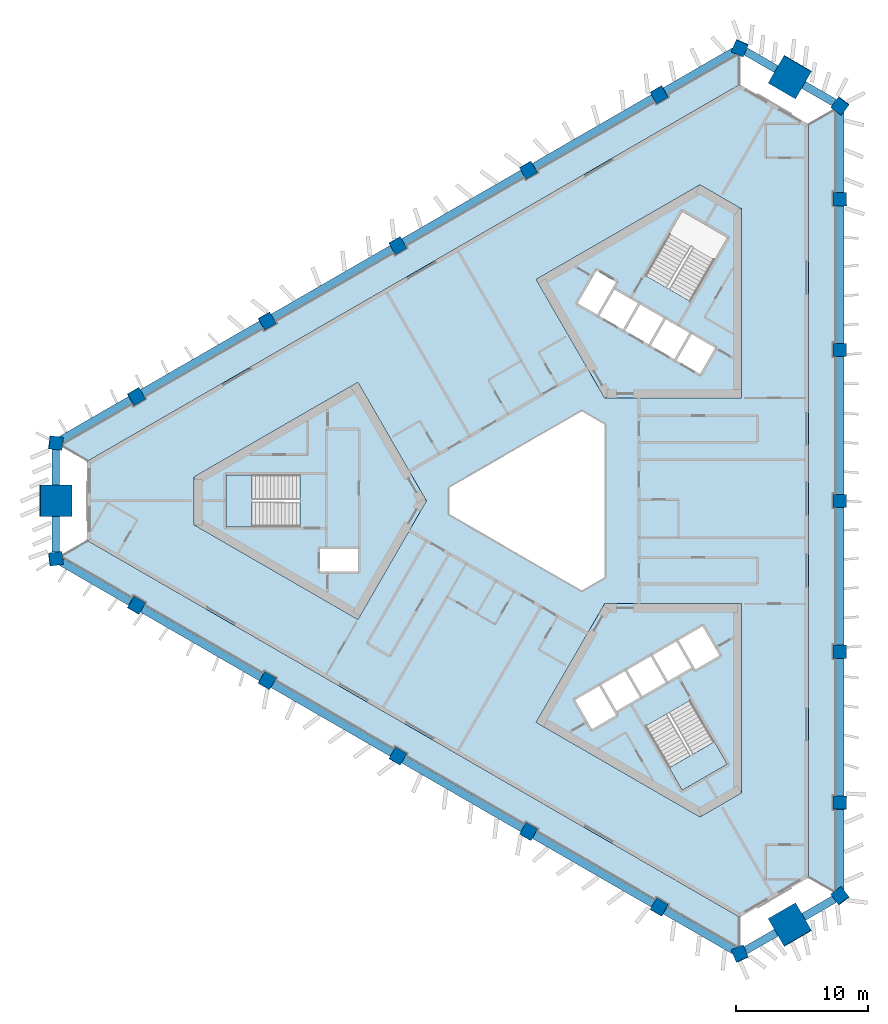
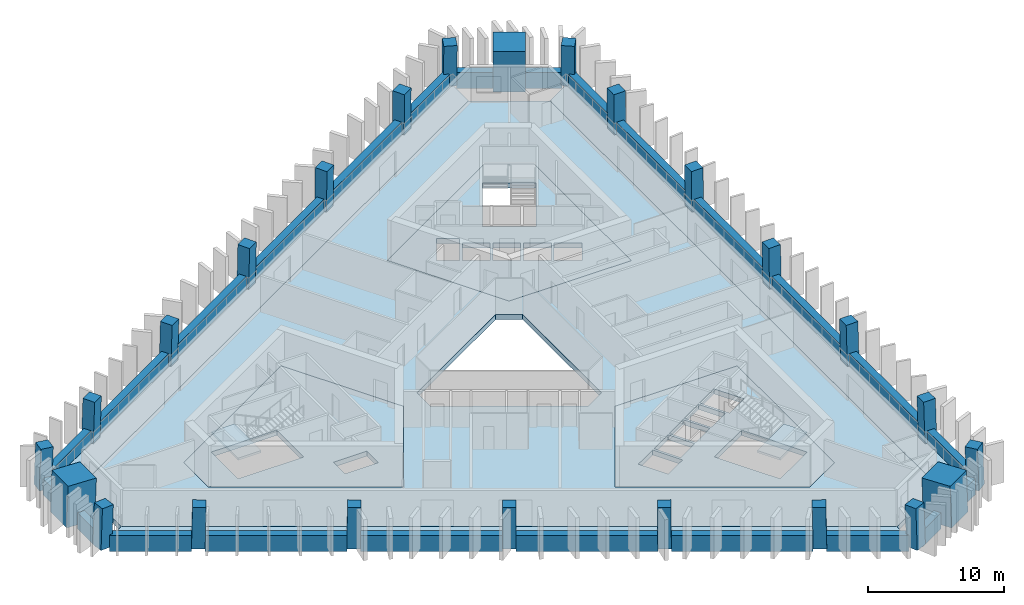
# One storey, part 1 of 11: 24 beams, 24 columns, 9 slabs, 2 elements without a shape of their own.
"""IFC4 building model written with IfcOpenShell, lengths in metres."""

from ifc_helpers import new_model, si_unit, direction, frame, origin, origin_2d, place, context, subcontext, project, spatial, polyline, rectangle, outline, extrude, material, layer, layer_set, material_profile, profile_set, type_object, element, aggregate, save


model = new_model("IFC4")

# Units and contexts
model_context = context("Model", 3, precision=1e-05, world=origin(), true_north=direction((0.0, 1.0)))
body_context = subcontext(model_context, "Body", "Model", "MODEL_VIEW")
ifc_project = project(units=[si_unit("LENGTHUNIT", "METRE"), si_unit("AREAUNIT", "SQUARE_METRE"), si_unit("VOLUMEUNIT", "CUBIC_METRE"), si_unit("PLANEANGLEUNIT", "RADIAN"), si_unit("MASSUNIT", "GRAM", prefix="KILO")], contexts=[model_context])

# Site, building, storey
site_placement = place(None, origin())
site = spatial("IfcSite", under=ifc_project, at=site_placement, CompositionType="ELEMENT")
building_placement = place(site_placement, origin())
building = spatial("IfcBuilding", under=site, at=building_placement, Name="Jabali Bay Hotel Tower and Convention Centre", CompositionType="ELEMENT")
storey_placement = place(building_placement, frame((0.0, 0.0, 114.199951171875)))
storey = spatial("IfcBuildingStorey", under=building, at=storey_placement, Name="L27", CompositionType="ELEMENT", Elevation=114.199951171875)

# Columns
ifc_material_1 = material(Name="Concrete C60", Category="concrete")
ifc_material_profile_1 = material_profile(ifc_material_1, rectangle(XDim=1.0, YDim=1.0, at=origin_2d()), Name="Frame column 1000")
ifc_profile_set_1 = profile_set([ifc_material_profile_1], Name="Concrete C60")
column_type_1 = type_object("IfcColumnType", Name="Frame column 1000", PredefinedType="COLUMN", material=ifc_profile_set_1)
column_1_placement = place(storey_placement, frame((83.643310546875, 110.7978515625, 0.0), z_axis=(-0.008376454378, -0.028163354484, 0.999568237028), x_axis=(0.865850871468, 0.499846877556, 0.02133933866)))
element("IfcColumn", 1, at=column_1_placement, inside=storey, type_object=column_type_1, Name="FC3 F1.1 L27", PredefinedType="COLUMN", context=body_context, shape_type="SweptSolid", body=[
    extrude(rectangle(XDim=1.0, YDim=1.0, at=origin_2d()), origin(), (0.0, 0.0, 1.0), 3.70166015625),
])
column_2_placement = place(storey_placement, frame((73.734130859375, 105.076904296875, 0.0), z_axis=(0.000857578916, -0.022824792675, 0.999739112668), x_axis=(0.866060219769, 0.499825848733, 0.01066848966)))
element("IfcColumn", 2, at=column_2_placement, inside=storey, type_object=column_type_1, Name="FC3 F1.2 L27", PredefinedType="COLUMN", context=body_context, shape_type="SweptSolid", body=[
    extrude(rectangle(XDim=1.0, YDim=1.0, at=origin_2d()), origin(), (0.0, 0.0, 1.0), 3.700927734375),
])
column_3_placement = place(storey_placement, frame((63.824951171875, 99.355712890625, 0.0), z_axis=(0.010093620709, -0.017482414954, 0.999796221231), x_axis=(-0.499897086036, 0.865849517735, 0.020187025824)))
element("IfcColumn", 3, at=column_3_placement, inside=storey, type_object=column_type_1, Name="FC3 F1.3 L27", PredefinedType="COLUMN", context=body_context, shape_type="SweptSolid", body=[
    extrude(rectangle(XDim=1.0, YDim=1.0, at=origin_2d()), origin(), (0.0, 0.0, 1.0), 3.70068359375),
])
column_4_placement = place(storey_placement, frame((53.915771484375, 93.634765625, 0.0), z_axis=(0.019328516974, -0.012138044789, 0.999739504221), x_axis=(-0.500200160538, 0.865674608258, 0.020180981521)))
element("IfcColumn", 4, at=column_4_placement, inside=storey, type_object=column_type_1, Name="FC3 F1.4 L27", PredefinedType="COLUMN", context=body_context, shape_type="SweptSolid", body=[
    extrude(rectangle(XDim=1.0, YDim=1.0, at=origin_2d()), origin(), (0.0, 0.0, 1.0), 3.700927734375),
])
for number, where, z_axis, x_axis, name in (
    (5, (44.006591796875, 87.91357421875, 0.0), (0.02855911485, -0.006793507689, 0.999569019734), (-0.500407643461, 0.865554709988, 0.020180049142), "FC3 F1.5 L27"),
    (6, (44.006591796875, 72.08642578125, 0.0), (0.02855911485, 0.006793507689, 0.999569019734), (-0.865318766308, 0.500768301983, 0.021319953197), "FC3 F2.1 L27"),
):
    element("IfcColumn", number, at=place(storey_placement, frame(where, z_axis=z_axis, x_axis=x_axis)), inside=storey, type_object=column_type_1, Name=name, PredefinedType="COLUMN", context=body_context, shape_type="SweptSolid", body=[
        extrude(rectangle(XDim=1.0, YDim=1.0, at=origin_2d()), origin(), (0.0, 0.0, 1.0), 3.70166015625),
    ])
column_5_placement = place(storey_placement, frame((53.915771484375, 66.365234375, 0.0), z_axis=(0.019328516974, 0.012138044789, 0.999739504221), x_axis=(-0.865694061334, 0.500459928951, 0.010660754407)))
element("IfcColumn", 7, at=column_5_placement, inside=storey, type_object=column_type_1, Name="FC3 F2.2 L27", PredefinedType="COLUMN", context=body_context, shape_type="SweptSolid", body=[
    extrude(rectangle(XDim=1.0, YDim=1.0, at=origin_2d()), origin(), (0.0, 0.0, 1.0), 3.700927734375),
])
column_6_placement = place(storey_placement, frame((63.824951171875, 60.644287109375, 0.0), z_axis=(0.010093620709, 0.017482414954, 0.999796221231), x_axis=(-0.866025993948, 0.499998977805, 1.48331e-07)))
element("IfcColumn", 8, at=column_6_placement, inside=storey, type_object=column_type_1, Name="FC3 F2.3 L27", PredefinedType="COLUMN", context=body_context, shape_type="SweptSolid", body=[
    extrude(rectangle(XDim=1.0, YDim=1.0, at=origin_2d()), origin(), (0.0, 0.0, 1.0), 3.70068359375),
])
column_7_placement = place(storey_placement, frame((73.734130859375, 54.923095703125, 0.0), z_axis=(0.000857578916, 0.022824792675, 0.999739112668), x_axis=(-0.499938956565, -0.865825126557, 0.020196285069)))
element("IfcColumn", 9, at=column_7_placement, inside=storey, type_object=column_type_1, Name="FC3 F2.4 L27", PredefinedType="COLUMN", context=body_context, shape_type="SweptSolid", body=[
    extrude(rectangle(XDim=1.0, YDim=1.0, at=origin_2d()), origin(), (0.0, 0.0, 1.0), 3.700927734375),
])
for number, where, z_axis, x_axis, name in (
    (10, (83.643310546875, 49.2021484375, 0.0), (-0.008376454378, 0.028163354484, 0.999568237028), (-0.500232049542, -0.86565577712, 0.020198320458), "FC3 F2.5 L27"),
    (11, (97.35009765625, 57.11572265625, 0.0), (-0.020182631348, 0.021369844956, 0.999567902205), (-0.001308975207, -0.999771253649, 0.021347762439), "FC3 F0.1 L27"),
):
    element("IfcColumn", number, at=place(storey_placement, frame(where, z_axis=z_axis, x_axis=x_axis)), inside=storey, type_object=column_type_1, Name=name, PredefinedType="COLUMN", context=body_context, shape_type="SweptSolid", body=[
        extrude(rectangle(XDim=1.0, YDim=1.0, at=origin_2d()), origin(), (0.0, 0.0, 1.0), 3.70166015625),
    ])
column_8_placement = place(storey_placement, frame((97.35009765625, 68.557861328125, 0.0), z_axis=(-0.020186088539, 0.010686752756, 0.999739123544), x_axis=(-0.001012906877, -0.999942577175, 0.010668475618)))
element("IfcColumn", 12, at=column_8_placement, inside=storey, type_object=column_type_1, Name="FC3 F0.2 L27", PredefinedType="COLUMN", context=body_context, shape_type="SweptSolid", body=[
    extrude(rectangle(XDim=1.0, YDim=1.0, at=origin_2d()), origin(), (0.0, 0.0, 1.0), 3.700927734375),
])
column_9_placement = place(storey_placement, frame((97.35009765625, 80.0, 0.0), z_axis=(-0.020187241331, 0.0, 0.99979621688), x_axis=(0.0, -1.0, 0.0)))
element("IfcColumn", 13, at=column_9_placement, inside=storey, type_object=column_type_1, Name="FC3 F0.3 L27", PredefinedType="COLUMN", context=body_context, shape_type="SweptSolid", body=[
    extrude(rectangle(XDim=1.0, YDim=1.0, at=origin_2d()), origin(), (0.0, 0.0, 1.0), 3.70068359375),
])
column_10_placement = place(storey_placement, frame((97.35009765625, 91.442138671875, 0.0), z_axis=(-0.020186088539, -0.010686752756, 0.999739123544), x_axis=(0.999795727061, 0.00079728784, 0.020195754082)))
element("IfcColumn", 14, at=column_10_placement, inside=storey, type_object=column_type_1, Name="FC3 F0.4 L27", PredefinedType="COLUMN", context=body_context, shape_type="SweptSolid", body=[
    extrude(rectangle(XDim=1.0, YDim=1.0, at=origin_2d()), origin(), (0.0, 0.0, 1.0), 3.700927734375),
])
column_11_placement = place(storey_placement, frame((97.35009765625, 102.88427734375, 0.0), z_axis=(-0.020182631348, -0.021369844956, 0.999567902205), x_axis=(0.999795453068, 0.000877555582, 0.020205987242)))
element("IfcColumn", 15, at=column_11_placement, inside=storey, type_object=column_type_1, Name="FC3 F0.5 L27", PredefinedType="COLUMN", context=body_context, shape_type="SweptSolid", body=[
    extrude(rectangle(XDim=1.0, YDim=1.0, at=origin_2d()), origin(), (0.0, 0.0, 1.0), 3.70166015625),
])
for number, where, z_axis, x_axis, name in (
    (16, (97.35009765625, 50.058837890625, 0.0), (-0.020178741915, 0.029015184452, 0.999375273581), (-0.801459996438, -0.598047222197, 0.001180733676), "FC3 V0 L27"),
    (17, (97.35009765625, 109.941162109375, 0.0), (-0.020178741915, -0.029015184452, 0.999375273581), (0.597707865503, 0.800935477485, 0.035322350177), "FC3 V1 L27"),
    (18, (89.754638671875, 114.326171875, 0.0), (-0.015035173594, -0.031916772016, 0.999377437818), (0.918370959596, -0.395718829007, 0.001178532864), "FC3 V2 L27"),
    (19, (37.895263671875, 84.38525390625, 0.0), (0.03521388716, -0.002967462401, 0.999375393092), (-0.992484641886, 0.117161451151, 0.035318974864), "FC3 V3 L27"),
    (20, (37.895263671875, 75.61474609375, 0.0), (0.03521388716, 0.002967462401, 0.999375393092), (-0.117193079029, 0.993108447518, 0.001180549262), "FC3 V4 L27"),
    (21, (89.754638671875, 45.673828125, 0.0), (-0.015035173594, 0.031916772016, 0.999377437818), (0.395434854465, -0.917816936013, 0.035261137832), "FC3 V5 L27"),
):
    element("IfcColumn", number, at=place(storey_placement, frame(where, z_axis=z_axis, x_axis=x_axis)), inside=storey, type_object=column_type_1, Name=name, PredefinedType="COLUMN", context=body_context, shape_type="SweptSolid", body=[
        extrude(rectangle(XDim=1.0, YDim=1.0, at=origin_2d()), origin(), (0.0, 0.0, 1.0), 3.7021484375),
    ])
ifc_material_2 = material(Name="Concrete C70", Category="concrete")
ifc_material_profile_2 = material_profile(ifc_material_2, rectangle(XDim=2.39990234375, YDim=2.39990234375, at=origin_2d()), Name="Mega column 2400")
ifc_profile_set_2 = profile_set([ifc_material_profile_2], Name="Concrete C70")
column_type_2 = type_object("IfcColumnType", Name="Mega column 2400", PredefinedType="COLUMN", material=ifc_profile_set_2)
for number, where, z_axis, x_axis, name in (
    (22, (93.552490234375, 112.133544921875, 0.0), (-0.017607037296, -0.030466109479, 0.999380712447), (0.500064653071, 0.865272876704, 0.035187946645), "MC3 M1 L27"),
    (23, (37.895263671875, 80.0, 0.0), (0.035214042205, 0.0, 0.999379793288), (0.0, 1.0, 0.0), "MC3 M0 L27"),
    (24, (93.552490234375, 47.866455078125, 0.0), (-0.017607037296, 0.030466109479, 0.999380712447), (0.500061328599, -0.865274797998, 0.035187946645), "MC3 M2 L27"),
):
    element("IfcColumn", number, at=place(storey_placement, frame(where, z_axis=z_axis, x_axis=x_axis)), inside=storey, type_object=column_type_2, Name=name, PredefinedType="COLUMN", context=body_context, shape_type="SweptSolid", body=[
        extrude(rectangle(XDim=2.39990234375, YDim=2.39990234375, at=origin_2d()), origin(), (0.0, 0.0, 1.0), 3.7021484375),
    ])

# Beams
ifc_material_profile_3 = material_profile(ifc_material_1, rectangle(XDim=0.60009765625, YDim=1.449951171875, at=origin_2d()), Name="Spandrel 600x1450")
ifc_profile_set_3 = profile_set([ifc_material_profile_3], Name="Concrete C60")
beam_type = type_object("IfcBeamType", Name="Spandrel 600x1450", PredefinedType="SPANDREL", material=ifc_profile_set_3)
beam_1_placement = place(storey_placement, frame((92.506591796875, 112.72216796875, 0.375), z_axis=(-0.866023509796, 0.500003280469, 0.0), x_axis=(-0.500003280469, -0.866023509796, 0.0)))
element("IfcBeam", 25, at=beam_1_placement, inside=storey, type_object=beam_type, Name="Spandrel M1-V2 L27", PredefinedType="SPANDREL", context=body_context, shape_type="SweptSolid", body=[
    extrude(rectangle(XDim=0.60009765625, YDim=1.449951171875, at=origin_2d()), origin(), (0.0, 0.0, 1.0), 2.68408203125),
])
beam_2_placement = place(storey_placement, frame((89.31591796875, 114.064208984375, 0.375), z_axis=(-0.866035829173, -0.499981942263, 0.0), x_axis=(0.499981942263, -0.866035829173, 0.0)))
element("IfcBeam", 26, at=beam_2_placement, inside=storey, type_object=beam_type, Name="Spandrel V2-F1.1 L27", PredefinedType="SPANDREL", context=body_context, shape_type="SweptSolid", body=[
    extrude(rectangle(XDim=0.60009765625, YDim=1.449951171875, at=origin_2d()), origin(), (0.0, 0.0, 1.0), 6.053955078125),
])
beam_3_placement = place(storey_placement, frame((83.20703125, 110.537353515625, 0.375), z_axis=(-0.86601498267, -0.500018049466, 0.0), x_axis=(0.500018049466, -0.86601498267, 0.0)))
element("IfcBeam", 27, at=beam_3_placement, inside=storey, type_object=beam_type, Name="Spandrel F1.1-F1.2 L27", PredefinedType="SPANDREL", context=body_context, shape_type="SweptSolid", body=[
    extrude(rectangle(XDim=0.60009765625, YDim=1.449951171875, at=origin_2d()), origin(), (0.0, 0.0, 1.0), 10.43798828125),
])
for number, where, z_axis, x_axis, name in (
    (28, (73.301513671875, 104.818115234375, 0.375), (-0.866030957997, -0.499990379699, 0.0), (0.499990379699, -0.866030957997, 0.0), "Spandrel F1.2-F1.3 L27"),
    (29, (63.395751953125, 99.09912109375, 0.375), (-0.866030957997, -0.499990379699, 0.0), (0.499990379699, -0.866030957997, 0.0), "Spandrel F1.3-F1.4 L27"),
):
    element("IfcBeam", number, at=place(storey_placement, frame(where, z_axis=z_axis, x_axis=x_axis)), inside=storey, type_object=beam_type, Name=name, PredefinedType="SPANDREL", context=body_context, shape_type="SweptSolid", body=[
        extrude(rectangle(XDim=0.60009765625, YDim=1.449951171875, at=origin_2d()), origin(), (0.0, 0.0, 1.0), 10.438232421875),
    ])
beam_4_placement = place(storey_placement, frame((53.489990234375, 93.380126953125, 0.375), z_axis=(-0.866025110751, -0.500000507549, 0.0), x_axis=(0.500000507549, -0.866025110751, 0.0)))
element("IfcBeam", 30, at=beam_4_placement, inside=storey, type_object=beam_type, Name="Spandrel F1.4-F1.5 L27", PredefinedType="SPANDREL", context=body_context, shape_type="SweptSolid", body=[
    extrude(rectangle(XDim=0.60009765625, YDim=1.449951171875, at=origin_2d()), origin(), (0.0, 0.0, 1.0), 10.43798828125),
])
beam_5_placement = place(storey_placement, frame((43.58447265625, 87.6611328125, 0.375), z_axis=(-0.866018367042, -0.500012187798, 0.0), x_axis=(0.500012187798, -0.866018367042, 0.0)))
element("IfcBeam", 31, at=beam_5_placement, inside=storey, type_object=beam_type, Name="Spandrel F1.5-V3 L27", PredefinedType="SPANDREL", context=body_context, shape_type="SweptSolid", body=[
    extrude(rectangle(XDim=0.60009765625, YDim=1.449951171875, at=origin_2d()), origin(), (0.0, 0.0, 1.0), 6.053955078125),
])
for number, where, z_axis, x_axis, name in (
    (32, (37.908447265625, 83.884033203125, 0.375), (0.0, -1.0, 0.0), (1.0, 0.0, 0.0), "Spandrel V3-M0 L27"),
    (33, (37.908447265625, 78.800048828125, 0.375), (0.0, -1.0, 0.0), (1.0, 0.0, 0.0), "Spandrel M0-V4 L27"),
):
    element("IfcBeam", number, at=place(storey_placement, frame(where, z_axis=z_axis, x_axis=x_axis)), inside=storey, type_object=beam_type, Name=name, PredefinedType="SPANDREL", context=body_context, shape_type="SweptSolid", body=[
        extrude(rectangle(XDim=0.60009765625, YDim=1.449951171875, at=origin_2d()), origin(), (0.0, 0.0, 1.0), 2.68408203125),
    ])
beam_6_placement = place(storey_placement, frame((38.341552734375, 75.365966796875, 0.375), z_axis=(0.866018367042, -0.500012187798, 0.0), x_axis=(0.500012187798, 0.866018367042, 0.0)))
element("IfcBeam", 34, at=beam_6_placement, inside=storey, type_object=beam_type, Name="Spandrel V4-F2.1 L27", PredefinedType="SPANDREL", context=body_context, shape_type="SweptSolid", body=[
    extrude(rectangle(XDim=0.60009765625, YDim=1.449951171875, at=origin_2d()), origin(), (0.0, 0.0, 1.0), 6.053955078125),
])
beam_7_placement = place(storey_placement, frame((44.450439453125, 71.8388671875, 0.375), z_axis=(0.866025110751, -0.500000507549, 0.0), x_axis=(0.500000507549, 0.866025110751, 0.0)))
element("IfcBeam", 35, at=beam_7_placement, inside=storey, type_object=beam_type, Name="Spandrel F2.1-F2.2 L27", PredefinedType="SPANDREL", context=body_context, shape_type="SweptSolid", body=[
    extrude(rectangle(XDim=0.60009765625, YDim=1.449951171875, at=origin_2d()), origin(), (0.0, 0.0, 1.0), 10.43798828125),
])
for number, where, z_axis, x_axis, name in (
    (36, (54.35595703125, 66.119873046875, 0.375), (0.866030957997, -0.499990379699, 0.0), (0.499990379699, 0.866030957997, 0.0), "Spandrel F2.2-F2.3 L27"),
    (37, (64.26171875, 60.40087890625, 0.375), (0.866030957997, -0.499990379699, 0.0), (0.499990379699, 0.866030957997, 0.0), "Spandrel F2.3-F2.4 L27"),
):
    element("IfcBeam", number, at=place(storey_placement, frame(where, z_axis=z_axis, x_axis=x_axis)), inside=storey, type_object=beam_type, Name=name, PredefinedType="SPANDREL", context=body_context, shape_type="SweptSolid", body=[
        extrude(rectangle(XDim=0.60009765625, YDim=1.449951171875, at=origin_2d()), origin(), (0.0, 0.0, 1.0), 10.438232421875),
    ])
beam_8_placement = place(storey_placement, frame((74.16748046875, 54.681884765625, 0.375), z_axis=(0.86601498267, -0.500018049466, 0.0), x_axis=(0.500018049466, 0.86601498267, 0.0)))
element("IfcBeam", 38, at=beam_8_placement, inside=storey, type_object=beam_type, Name="Spandrel F2.4-F2.5 L27", PredefinedType="SPANDREL", context=body_context, shape_type="SweptSolid", body=[
    extrude(rectangle(XDim=0.60009765625, YDim=1.449951171875, at=origin_2d()), origin(), (0.0, 0.0, 1.0), 10.43798828125),
])
beam_9_placement = place(storey_placement, frame((84.072998046875, 48.962646484375, 0.375), z_axis=(0.866035829173, -0.499981942263, 0.0), x_axis=(0.499981942263, 0.866035829173, 0.0)))
element("IfcBeam", 39, at=beam_9_placement, inside=storey, type_object=beam_type, Name="Spandrel F2.5-V5 L27", PredefinedType="SPANDREL", context=body_context, shape_type="SweptSolid", body=[
    extrude(rectangle(XDim=0.60009765625, YDim=1.449951171875, at=origin_2d()), origin(), (0.0, 0.0, 1.0), 6.053955078125),
])
for number, where, z_axis, x_axis, name in (
    (40, (90.18212890625, 45.935791015625, 0.375), (0.866023509796, 0.500003280469, 0.0), (-0.500003280469, 0.866023509796, 0.0), "Spandrel V5-M2 L27"),
    (41, (94.5849609375, 48.477783203125, 0.375), (0.866023509796, 0.500003280469, 0.0), (-0.500003280469, 0.866023509796, 0.0), "Spandrel M2-V0 L27"),
):
    element("IfcBeam", number, at=place(storey_placement, frame(where, z_axis=z_axis, x_axis=x_axis)), inside=storey, type_object=beam_type, Name=name, PredefinedType="SPANDREL", context=body_context, shape_type="SweptSolid", body=[
        extrude(rectangle(XDim=0.60009765625, YDim=1.449951171875, at=origin_2d()), origin(), (0.0, 0.0, 1.0), 2.68408203125),
    ])
beam_10_placement = place(storey_placement, frame((97.342529296875, 50.56982421875, 0.375), z_axis=(0.0, 1.0, 0.0), x_axis=(-1.0, 0.0, 0.0)))
element("IfcBeam", 42, at=beam_10_placement, inside=storey, type_object=beam_type, Name="Spandrel V0-F0.1 L27", PredefinedType="SPANDREL", context=body_context, shape_type="SweptSolid", body=[
    extrude(rectangle(XDim=0.60009765625, YDim=1.449951171875, at=origin_2d()), origin(), (0.0, 0.0, 1.0), 6.053955078125),
])
beam_11_placement = place(storey_placement, frame((97.342529296875, 57.623779296875, 0.375), z_axis=(0.0, 1.0, 0.0), x_axis=(-1.0, 0.0, 0.0)))
element("IfcBeam", 43, at=beam_11_placement, inside=storey, type_object=beam_type, Name="Spandrel F0.1-F0.2 L27", PredefinedType="SPANDREL", context=body_context, shape_type="SweptSolid", body=[
    extrude(rectangle(XDim=0.60009765625, YDim=1.449951171875, at=origin_2d()), origin(), (0.0, 0.0, 1.0), 10.438232421875),
])
for number, where, z_axis, x_axis, name in (
    (44, (97.342529296875, 69.06201171875, 0.375), (0.0, 1.0, 0.0), (-1.0, 0.0, 0.0), "Spandrel F0.2-F0.3 L27"),
    (45, (97.342529296875, 80.5, 0.375), (0.0, 1.0, 0.0), (-1.0, 0.0, 0.0), "Spandrel F0.3-F0.4 L27"),
):
    element("IfcBeam", number, at=place(storey_placement, frame(where, z_axis=z_axis, x_axis=x_axis)), inside=storey, type_object=beam_type, Name=name, PredefinedType="SPANDREL", context=body_context, shape_type="SweptSolid", body=[
        extrude(rectangle(XDim=0.60009765625, YDim=1.449951171875, at=origin_2d()), origin(), (0.0, 0.0, 1.0), 10.43798828125),
    ])
beam_12_placement = place(storey_placement, frame((97.342529296875, 91.93798828125, 0.375), z_axis=(0.0, 1.0, 0.0), x_axis=(-1.0, 0.0, 0.0)))
element("IfcBeam", 46, at=beam_12_placement, inside=storey, type_object=beam_type, Name="Spandrel F0.4-F0.5 L27", PredefinedType="SPANDREL", context=body_context, shape_type="SweptSolid", body=[
    extrude(rectangle(XDim=0.60009765625, YDim=1.449951171875, at=origin_2d()), origin(), (0.0, 0.0, 1.0), 10.438232421875),
])
beam_13_placement = place(storey_placement, frame((97.342529296875, 103.376220703125, 0.375), z_axis=(0.0, 1.0, 0.0), x_axis=(-1.0, 0.0, 0.0)))
element("IfcBeam", 47, at=beam_13_placement, inside=storey, type_object=beam_type, Name="Spandrel F0.5-V1 L27", PredefinedType="SPANDREL", context=body_context, shape_type="SweptSolid", body=[
    extrude(rectangle(XDim=0.60009765625, YDim=1.449951171875, at=origin_2d()), origin(), (0.0, 0.0, 1.0), 6.053955078125),
])
beam_14_placement = place(storey_placement, frame((96.909423828125, 110.18017578125, 0.375), z_axis=(-0.866023509796, 0.500003280469, 0.0), x_axis=(-0.500003280469, -0.866023509796, 0.0)))
element("IfcBeam", 48, at=beam_14_placement, inside=storey, type_object=beam_type, Name="Spandrel V1-M1 L27", PredefinedType="SPANDREL", context=body_context, shape_type="SweptSolid", body=[
    extrude(rectangle(XDim=0.60009765625, YDim=1.449951171875, at=origin_2d()), origin(), (0.0, 0.0, 1.0), 2.68408203125),
])

# Slabs
ifc_material_3 = material(Name="Concrete C40", Category="concrete")
ifc_layer_1 = layer(ifc_material_3, 0.449951171875)
ifc_layer_set_1 = layer_set([ifc_layer_1], Name="Concrete C40")
slab_type_1 = type_object("IfcSlabType", Name="Core floor slab 450", PredefinedType="FLOOR", material=ifc_layer_set_1)
slab_1_placement = place(storey_placement, frame((0.0, 0.0, -0.449951171875)))
element("IfcSlab", 49, at=slab_1_placement, inside=storey, type_object=slab_type_1, Name="Core floor slab 1 L27", PredefinedType="FLOOR", context=body_context, shape_type="SweptSolid", body=[
    extrude(outline(polyline([(66.0, 80.0), (60.81005859375, 88.9892578125), (48.39697265625, 81.82275390625), (48.39697265625, 78.17724609375), (60.81005859375, 71.0107421875), (66.0, 80.0)]), holes=[polyline([(60.800048828125, 76.35009765625), (57.949951171875, 76.35009765625), (57.949951171875, 74.64990234375), (60.800048828125, 74.64990234375), (60.800048828125, 76.35009765625)]), polyline([(50.820068359375, 81.97509765625), (50.820068359375, 78.02490234375), (56.409912109375, 78.02490234375), (56.409912109375, 81.97509765625), (50.820068359375, 81.97509765625)])]), origin(), (0.0, 0.0, 1.0), 0.449951171875),
])
slab_2_placement = place(storey_placement, frame((0.0, 0.0, -0.449951171875)))
element("IfcSlab", 50, at=slab_2_placement, inside=storey, type_object=slab_type_1, Name="Core floor slab 2 L27", PredefinedType="FLOOR", context=body_context, shape_type="SweptSolid", body=[
    extrude(outline(polyline([(79.5, 87.794189453125), (89.8798828125, 87.794189453125), (89.8798828125, 102.127685546875), (86.72314453125, 103.9501953125), (74.31005859375, 96.78369140625), (79.5, 87.794189453125)]), holes=[polyline([(84.957763671875, 90.6474609375), (86.733154296875, 89.62255859375), (87.873291015625, 91.59716796875), (86.097900390625, 92.6220703125), (84.957763671875, 90.6474609375)]), polyline([(84.1494140625, 93.7470703125), (83.00927734375, 91.7724609375), (84.78466796875, 90.74755859375), (85.924560546875, 92.72216796875), (84.1494140625, 93.7470703125)]), polyline([(82.20068359375, 94.8720703125), (81.060791015625, 92.8974609375), (82.836181640625, 91.87255859375), (83.97607421875, 93.84716796875), (82.20068359375, 94.8720703125)]), polyline([(79.1123046875, 94.0224609375), (80.887451171875, 92.99755859375), (82.027587890625, 94.97216796875), (80.252197265625, 95.9970703125), (79.1123046875, 94.0224609375)]), polyline([(78.891845703125, 97.440673828125), (77.466796875, 94.97265625), (78.93896484375, 94.12255859375), (80.364013671875, 96.5908203125), (78.891845703125, 97.440673828125)]), polyline([(82.584716796875, 97.0869140625), (86.00537109375, 95.11181640625), (88.80029296875, 99.952880859375), (85.379638671875, 101.927978515625), (82.584716796875, 97.0869140625)])]), origin(), (0.0, 0.0, 1.0), 0.449951171875),
])
slab_3_placement = place(storey_placement, frame((0.0, 0.0, -0.449951171875)))
element("IfcSlab", 51, at=slab_3_placement, inside=storey, type_object=slab_type_1, Name="Core floor slab 3 L27", PredefinedType="FLOOR", context=body_context, shape_type="SweptSolid", body=[
    extrude(outline(polyline([(79.5, 72.205810546875), (74.31005859375, 63.21630859375), (86.72314453125, 56.0498046875), (89.8798828125, 57.872314453125), (89.8798828125, 72.205810546875), (79.5, 72.205810546875)]), holes=[polyline([(82.584716796875, 62.9130859375), (85.379638671875, 58.072021484375), (88.80029296875, 60.047119140625), (86.00537109375, 64.88818359375), (82.584716796875, 62.9130859375)]), polyline([(80.365478515625, 63.756591796875), (79.090576171875, 65.96484375), (77.27197265625, 64.9150390625), (78.546875, 62.70654296875), (80.365478515625, 63.756591796875)]), polyline([(82.17919921875, 65.115478515625), (81.0390625, 67.08984375), (79.263671875, 66.06494140625), (80.40380859375, 64.09033203125), (82.17919921875, 65.115478515625)]), polyline([(82.98779296875, 68.21484375), (81.21240234375, 67.18994140625), (82.352294921875, 65.21533203125), (84.127685546875, 66.240478515625), (82.98779296875, 68.21484375)]), polyline([(86.076171875, 67.365478515625), (84.936279296875, 69.33984375), (83.160888671875, 68.31494140625), (84.30078125, 66.34033203125), (86.076171875, 67.365478515625)]), polyline([(88.203125, 68.281494140625), (86.927978515625, 70.489990234375), (85.109375, 69.43994140625), (86.384521484375, 67.231689453125), (88.203125, 68.281494140625)])]), origin(), (0.0, 0.0, 1.0), 0.449951171875),
])
ifc_layer_2 = layer(ifc_material_3, 0.199951171875)
ifc_layer_set_2 = layer_set([ifc_layer_2], Name="Concrete C40")
slab_type_2 = type_object("IfcSlabType", Name="Loggia slab 200", PredefinedType="FLOOR", material=ifc_layer_set_2)
slab_4_placement = place(storey_placement, frame((0.0, 0.0, -0.199951171875)))
element("IfcSlab", 52, at=slab_4_placement, inside=storey, type_object=slab_type_2, Name="Loggia slab east face L27", PredefinedType="FLOOR", context=body_context, shape_type="SweptSolid", body=[
    extrude(outline(polyline([(94.9501953125, 108.555419921875), (96.878662109375, 109.6689453125), (97.050048828125, 109.541015625), (97.050048828125, 103.38427734375), (96.85009765625, 103.38427734375), (96.85009765625, 102.38427734375), (97.050048828125, 102.38427734375), (97.050048828125, 91.942138671875), (96.85009765625, 91.942138671875), (96.85009765625, 90.942138671875), (97.050048828125, 90.942138671875), (97.050048828125, 80.5), (96.85009765625, 80.5), (96.85009765625, 79.5), (97.050048828125, 79.5), (97.050048828125, 69.057861328125), (96.85009765625, 69.057861328125), (96.85009765625, 68.057861328125), (97.050048828125, 68.057861328125), (97.050048828125, 57.61572265625), (96.85009765625, 57.61572265625), (96.85009765625, 56.61572265625), (97.050048828125, 56.61572265625), (97.050048828125, 50.458984375), (96.878662109375, 50.3310546875), (94.9501953125, 51.444580078125), (94.9501953125, 108.555419921875)])), origin(), (0.0, 0.0, 1.0), 0.199951171875),
])
slab_5_placement = place(storey_placement, frame((0.0, 0.0, -0.199951171875)))
element("IfcSlab", 53, at=slab_5_placement, inside=storey, type_object=slab_type_2, Name="Loggia slab north-west face L27", PredefinedType="FLOOR", context=body_context, shape_type="SweptSolid", body=[
    extrude(outline(polyline([(40.295166015625, 82.99951171875), (38.366455078125, 84.113037109375), (38.3916015625, 84.325439453125), (43.7236328125, 87.40380859375), (43.82373046875, 87.230712890625), (44.689697265625, 87.730712890625), (44.589599609375, 87.90380859375), (53.6328125, 93.125), (53.73291015625, 92.95166015625), (54.598876953125, 93.45166015625), (54.498779296875, 93.625), (63.5419921875, 98.845947265625), (63.641845703125, 98.6728515625), (64.508056640625, 99.1728515625), (64.407958984375, 99.345947265625), (73.451171875, 104.56689453125), (73.551025390625, 104.393798828125), (74.4169921875, 104.893798828125), (74.317138671875, 105.06689453125), (83.360107421875, 110.2880859375), (83.460205078125, 110.11474609375), (84.326171875, 110.61474609375), (84.226318359375, 110.7880859375), (89.558349609375, 113.866455078125), (89.754638671875, 113.781982421875), (89.754638671875, 111.554931640625), (40.295166015625, 82.99951171875)])), origin(), (0.0, 0.0, 1.0), 0.199951171875),
])
slab_6_placement = place(storey_placement, frame((0.0, 0.0, -0.199951171875)))
element("IfcSlab", 54, at=slab_6_placement, inside=storey, type_object=slab_type_2, Name="Loggia slab south-west face L27", PredefinedType="FLOOR", context=body_context, shape_type="SweptSolid", body=[
    extrude(outline(polyline([(89.754638671875, 48.445068359375), (89.754638671875, 46.218017578125), (89.558349609375, 46.133544921875), (84.226318359375, 49.2119140625), (84.326171875, 49.38525390625), (83.460205078125, 49.88525390625), (83.360107421875, 49.7119140625), (74.317138671875, 54.93310546875), (74.4169921875, 55.106201171875), (73.551025390625, 55.606201171875), (73.451171875, 55.43310546875), (64.407958984375, 60.654052734375), (64.508056640625, 60.8271484375), (63.641845703125, 61.3271484375), (63.5419921875, 61.154052734375), (54.498779296875, 66.375), (54.598876953125, 66.54833984375), (53.73291015625, 67.04833984375), (53.6328125, 66.875), (44.589599609375, 72.09619140625), (44.689697265625, 72.269287109375), (43.82373046875, 72.769287109375), (43.7236328125, 72.59619140625), (38.3916015625, 75.674560546875), (38.366455078125, 75.886962890625), (40.295166015625, 77.00048828125), (89.754638671875, 48.445068359375)])), origin(), (0.0, 0.0, 1.0), 0.199951171875),
])
ifc_layer_3 = layer(ifc_material_3, 0.449951171875)
ifc_layer_set_3 = layer_set([ifc_layer_3], Name="Concrete C40")
slab_type_3 = type_object("IfcSlabType", Name="Post-tensioned flat slab 450", PredefinedType="FLOOR", material=ifc_layer_set_3)
slab_7_placement = place(storey_placement, frame((0.0, 0.0, -0.449951171875)))
element("IfcSlab", 55, at=slab_7_placement, inside=storey, type_object=slab_type_3, Name="Floor slab L27", PredefinedType="FLOOR", context=body_context, shape_type="SweptSolid", body=[
    extrude(outline(polyline([(89.754638671875, 111.554931640625), (94.9501953125, 108.555419921875), (94.9501953125, 51.444580078125), (89.754638671875, 48.445068359375), (40.295166015625, 77.00048828125), (40.295166015625, 82.99951171875), (89.754638671875, 111.554931640625)]), holes=[polyline([(67.73193359375, 79.0), (77.76806640625, 73.205810546875), (79.5, 74.205810546875), (79.5, 85.794189453125), (77.76806640625, 86.794189453125), (67.73193359375, 81.0), (67.73193359375, 79.0)]), polyline([(48.39697265625, 78.17724609375), (60.81005859375, 71.0107421875), (66.0, 80.0), (60.81005859375, 88.9892578125), (48.39697265625, 81.82275390625), (48.39697265625, 78.17724609375)]), polyline([(89.8798828125, 102.127685546875), (86.72314453125, 103.9501953125), (74.31005859375, 96.78369140625), (79.5, 87.794189453125), (89.8798828125, 87.794189453125), (89.8798828125, 102.127685546875)]), polyline([(74.31005859375, 63.21630859375), (86.72314453125, 56.0498046875), (89.8798828125, 57.872314453125), (89.8798828125, 72.205810546875), (79.5, 72.205810546875), (74.31005859375, 63.21630859375)])]), origin(), (0.0, 0.0, 1.0), 0.449951171875),
])

# Stair, slab
stair_type = type_object("IfcStairType", Name="Exit stair 1900", PredefinedType="HALF_TURN_STAIR", material=ifc_material_3)
stair_1_placement = place(storey_placement, origin())
stair_1 = element("IfcStair", 56, at=stair_1_placement, inside=storey, type_object=stair_type, Name="L27 Exit Stair 1", PredefinedType="HALF_TURN_STAIR")
ifc_layer_4 = layer(ifc_material_3, 0.199951171875)
ifc_layer_set_4 = layer_set([ifc_layer_4], Name="Concrete C40")
slab_type_4 = type_object("IfcSlabType", Name="Stair landing 200", PredefinedType="LANDING", material=ifc_layer_set_4)
slab_8_placement = place(storey_placement, frame((0.0, 0.0, 1.650146484375)))
slab_8 = element("IfcSlab", 57, at=slab_8_placement, type_object=slab_type_4, Name="ST1 landing 1", PredefinedType="LANDING", context=body_context, shape_type="SweptSolid", body=[
    extrude(outline(polyline([(52.782958984375, 81.97509765625), (50.820068359375, 81.97509765625), (50.820068359375, 78.02490234375), (52.782958984375, 78.02490234375), (52.782958984375, 81.97509765625)])), origin(), (0.0, 0.0, 1.0), 0.199951171875),
])
aggregate(stair_1, [slab_8])

stair_2_placement = place(storey_placement, origin())
stair_2 = element("IfcStair", 58, at=stair_2_placement, inside=storey, type_object=stair_type, Name="L27 Exit Stair 3", PredefinedType="HALF_TURN_STAIR")
slab_9_placement = place(storey_placement, frame((0.0, 0.0, 1.650146484375)))
slab_9 = element("IfcSlab", 59, at=slab_9_placement, type_object=slab_type_4, Name="ST3 landing 1", PredefinedType="LANDING", context=body_context, shape_type="SweptSolid", body=[
    extrude(outline(polyline([(84.398193359375, 59.77197265625), (85.379638671875, 58.072021484375), (88.80029296875, 60.047119140625), (87.81884765625, 61.7470703125), (84.398193359375, 59.77197265625)])), origin(), (0.0, 0.0, 1.0), 0.199951171875),
])
aggregate(stair_2, [slab_9])

save(model, "model.ifc")
